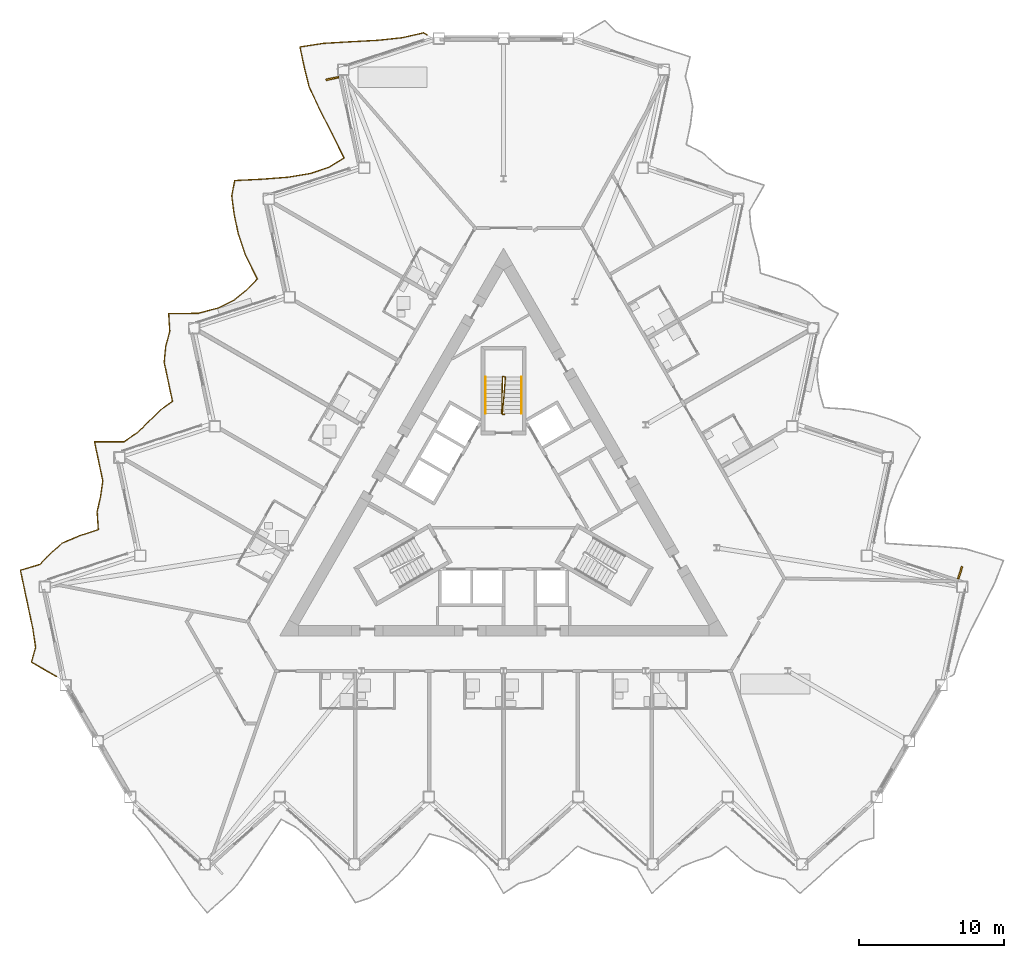
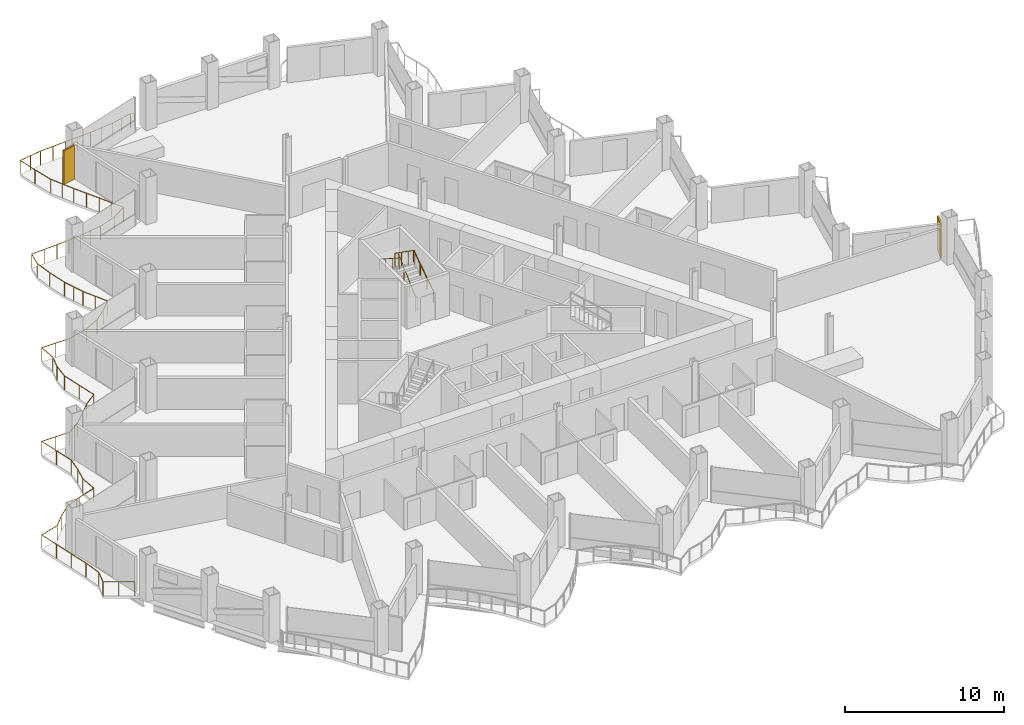
# One storey, part 20 of 23: 4 railings, 2 shading devices.
"""IFC4 building model written with IfcOpenShell, lengths in metres."""

from ifc_helpers import new_model, si_unit, direction, frame, origin, origin_2d, place, context, subcontext, project, spatial, rectangle, circle, extrude, material, layer, layer_set, type_object, element, save


model = new_model("IFC4")

# Units and contexts
model_context = context("Model", 3, precision=1e-05, world=origin(), true_north=direction((0.0, 1.0)))
body_context = subcontext(model_context, "Body", "Model", "MODEL_VIEW")
ifc_project = project(units=[si_unit("LENGTHUNIT", "METRE"), si_unit("AREAUNIT", "SQUARE_METRE"), si_unit("VOLUMEUNIT", "CUBIC_METRE"), si_unit("PLANEANGLEUNIT", "RADIAN"), si_unit("MASSUNIT", "GRAM", prefix="KILO")], contexts=[model_context])

# Site, building, storey
site_placement = place(None, origin())
site = spatial("IfcSite", under=ifc_project, at=site_placement, CompositionType="ELEMENT")
building_placement = place(site_placement, origin())
building = spatial("IfcBuilding", under=site, at=building_placement, Name="Cormorant Prow Tower", CompositionType="ELEMENT")
storey_placement = place(building_placement, frame((0.0, 0.0, 183.60009765625)))
storey = spatial("IfcBuildingStorey", under=building, at=storey_placement, Name="L39", CompositionType="ELEMENT", Elevation=183.60009765625)

# Railings
ifc_material_1 = material(Name="Aluminium 6063-T6", Category="aluminium")
railing_type_1 = type_object("IfcRailingType", Name="Balcony guard 1100", PredefinedType="GUARDRAIL", material=ifc_material_1)
railing_1_placement = place(storey_placement, frame((-5.30078125, 32.661865234375, 0.0)))
element("IfcRailing", 1, at=railing_1_placement, inside=storey, type_object=railing_type_1, Name="Balcony guard WNW", PredefinedType="GUARDRAIL", context=body_context, shape_type="SweptSolid", body=[
    extrude(circle(Radius=0.02392578125, at=origin_2d()), frame((0.0, 0.0, 1.076171875), z_axis=(-0.866065156741, 0.499931139538, 0.0), x_axis=(-0.499931139538, -0.866065156741, 0.0)), (0.0, 0.0, 1.0), 0.27001953125),
    extrude(circle(Radius=0.02392578125, at=origin_2d()), frame((-0.23388671875, 0.135009765625, 1.076171875), z_axis=(-0.974644719634, -0.223758062401, 0.0), x_axis=(0.223758062401, -0.974644719634, 0.0)), (0.0, 0.0, 1.0), 1.505615234375),
    extrude(circle(Radius=0.02392578125, at=origin_2d()), frame((-1.701416015625, -0.201904296875, 1.076171875), z_axis=(-0.994449269321, -0.105217159941, 0.0), x_axis=(0.105217159941, -0.994449269321, 0.0)), (0.0, 0.0, 1.0), 1.74267578125),
    extrude(circle(Radius=0.02392578125, at=origin_2d()), frame((-3.434326171875, -0.38525390625, 1.076171875), z_axis=(-0.99859695624, -0.052953932694, 0.0), x_axis=(0.052953932694, -0.99859695624, 0.0)), (0.0, 0.0, 1.0), 1.881103515625),
    extrude(circle(Radius=0.02392578125, at=origin_2d()), frame((-5.312744140625, -0.48486328125, 1.076171875), z_axis=(-0.998270307196, -0.058791102824, 0.0), x_axis=(0.058791102824, -0.998270307196, 0.0)), (0.0, 0.0, 1.0), 1.864501953125),
    extrude(circle(Radius=0.02392578125, at=origin_2d()), frame((-7.174072265625, -0.594482421875, 1.076171875), z_axis=(-0.98797780266, -0.154595800235, 0.0), x_axis=(0.154595800235, -0.98797780266, 0.0)), (0.0, 0.0, 1.0), 1.6328125),
    extrude(circle(Radius=0.02392578125, at=origin_2d()), frame((-8.787353515625, -0.846923828125, 1.076171875), z_axis=(0.207873566928, -0.97815570344, 0.0), x_axis=(0.97815570344, 0.207873566928, 0.0)), (0.0, 0.0, 1.0), 1.3798828125),
    extrude(circle(Radius=0.02392578125, at=origin_2d()), frame((-8.50048828125, -2.19677734375, 1.076171875), z_axis=(0.23657564466, -0.971613073375, 0.0), x_axis=(0.971613073375, 0.23657564466, 0.0)), (0.0, 0.0, 1.0), 1.41796875),
    extrude(circle(Radius=0.02392578125, at=origin_2d()), frame((-8.1650390625, -3.574462890625, 1.076171875), z_axis=(0.420257343477, -0.907404962106, 0.0), x_axis=(0.907404962106, 0.420257343477, 0.0)), (0.0, 0.0, 1.0), 1.78125),
    extrude(circle(Radius=0.02392578125, at=origin_2d()), frame((-7.41650390625, -5.190673828125, 1.076171875), z_axis=(0.456536814746, -0.889704522177, 0.0), x_axis=(0.889704522177, 0.456536814746, 0.0)), (0.0, 0.0, 1.0), 1.890869140625),
    extrude(circle(Radius=0.02392578125, at=origin_2d()), frame((-6.55322265625, -6.873046875, 1.076171875), z_axis=(0.440945101429, -0.897534075969, 0.0), x_axis=(0.897534075969, 0.440945101429, 0.0)), (0.0, 0.0, 1.0), 1.841552734375),
    extrude(circle(Radius=0.02392578125, at=origin_2d()), frame((-5.7412109375, -8.52587890625, 1.076171875), z_axis=(-0.849445527485, -0.527676317296, 0.0), x_axis=(0.527676317296, -0.849445527485, 0.0)), (0.0, 0.0, 1.0), 1.1630859375),
    extrude(circle(Radius=0.02392578125, at=origin_2d()), frame((-6.729248046875, -9.1396484375, 1.076171875), z_axis=(-0.945060911666, -0.326894284504, 0.0), x_axis=(0.326894284504, -0.945060911666, 0.0)), (0.0, 0.0, 1.0), 1.35693359375),
    extrude(circle(Radius=0.02392578125, at=origin_2d()), frame((-8.01171875, -9.583251953125, 1.076171875), z_axis=(-0.985922013231, -0.16720581278, 0.0), x_axis=(0.16720581278, -0.985922013231, 0.0)), (0.0, 0.0, 1.0), 1.607666015625),
    extrude(circle(Radius=0.02392578125, at=origin_2d()), frame((-9.5966796875, -9.85205078125, 1.076171875), z_axis=(-0.997045774989, -0.076809651581, 0.0), x_axis=(0.076809651581, -0.997045774989, 0.0)), (0.0, 0.0, 1.0), 1.81494140625),
    extrude(circle(Radius=0.02392578125, at=origin_2d()), frame((-11.40625, -9.991455078125, 1.076171875), z_axis=(-0.998824863504, -0.048465369554, 0.0), x_axis=(0.048465369554, -0.998824863504, 0.0)), (0.0, 0.0, 1.0), 1.89404296875),
    extrude(circle(Radius=0.02392578125, at=origin_2d()), frame((-13.298095703125, -10.083251953125, 1.076171875), z_axis=(-0.19234641595, -0.981327089339, 0.0), x_axis=(0.981327089339, -0.19234641595, 0.0)), (0.0, 0.0, 1.0), 1.083984375),
    extrude(circle(Radius=0.02392578125, at=origin_2d()), frame((-13.506591796875, -11.14697265625, 1.076171875), z_axis=(0.12845755255, -0.991715008051, 0.0), x_axis=(0.991715008051, 0.12845755255, 0.0)), (0.0, 0.0, 1.0), 1.29052734375),
    extrude(circle(Radius=0.02392578125, at=origin_2d()), frame((-13.3408203125, -12.4267578125, 1.076171875), z_axis=(0.208078831639, -0.97811205893, 0.0), x_axis=(0.97811205893, 0.208078831639, 0.0)), (0.0, 0.0, 1.0), 1.3798828125),
    extrude(circle(Radius=0.02392578125, at=origin_2d()), frame((-13.0537109375, -13.7763671875, 1.076171875), z_axis=(0.320795668286, -0.947148425121, 0.0), x_axis=(0.947148425121, 0.320795668286, 0.0)), (0.0, 0.0, 1.0), 1.553955078125),
    extrude(circle(Radius=0.02392578125, at=origin_2d()), frame((-12.55517578125, -15.248291015625, 1.076171875), z_axis=(0.44142979612, -0.897295790193, 0.0), x_axis=(0.897295790193, 0.44142979612, 0.0)), (0.0, 0.0, 1.0), 1.84326171875),
    extrude(circle(Radius=0.02392578125, at=origin_2d()), frame((-11.741455078125, -16.90234375, 1.076171875), z_axis=(-0.696524325423, -0.717533179786, 0.0), x_axis=(0.717533179786, -0.696524325423, 0.0)), (0.0, 0.0, 1.0), 1.0576171875),
    extrude(circle(Radius=0.02392578125, at=origin_2d()), frame((-12.47802734375, -17.6611328125, 1.076171875), z_axis=(-0.776576356837, -0.630023144021, 0.0), x_axis=(0.630023144021, -0.776576356837, 0.0)), (0.0, 0.0, 1.0), 1.097900390625),
    extrude(circle(Radius=0.02392578125, at=origin_2d()), frame((-13.33056640625, -18.352783203125, 1.076171875), z_axis=(-0.89486357373, -0.446339763422, 0.0), x_axis=(0.446339763422, -0.89486357373, 0.0)), (0.0, 0.0, 1.0), 1.229736328125),
    extrude(circle(Radius=0.02392578125, at=origin_2d()), frame((-14.430908203125, -18.901611328125, 1.076171875), z_axis=(-0.967091903603, -0.254427298036, 0.0), x_axis=(0.254427298036, -0.967091903603, 0.0)), (0.0, 0.0, 1.0), 1.45654296875),
    extrude(circle(Radius=0.02392578125, at=origin_2d()), frame((-15.839599609375, -19.272216796875, 1.076171875), z_axis=(-0.999986664005, -0.005164475925, 0.0), x_axis=(0.005164475925, -0.999986664005, 0.0)), (0.0, 0.0, 1.0), 2.03271484375),
    extrude(circle(Radius=0.02392578125, at=origin_2d()), frame((-17.872314453125, -19.28271484375, 1.076171875), z_axis=(0.064560408619, -0.997913800706, 0.0), x_axis=(0.997913800706, 0.064560408619, 0.0)), (0.0, 0.0, 1.0), 1.23291015625),
    extrude(circle(Radius=0.02392578125, at=origin_2d()), frame((-17.792724609375, -20.512939453125, 1.076171875), z_axis=(-0.262201785717, -0.965013069117, 0.0), x_axis=(0.965013069117, -0.262201785717, 0.0)), (0.0, 0.0, 1.0), 1.060546875),
    extrude(circle(Radius=0.02392578125, at=origin_2d()), frame((-18.07080078125, -21.536376953125, 1.076171875), z_axis=(-0.097786178381, -0.995207447379, 0.0), x_axis=(0.995207447379, -0.097786178381, 0.0)), (0.0, 0.0, 1.0), 1.1259765625),
    extrude(circle(Radius=0.02392578125, at=origin_2d()), frame((-18.180908203125, -22.656982421875, 1.076171875), z_axis=(0.207909545351, -0.978148056764, 0.0), x_axis=(0.978148056764, 0.207909545351, 0.0)), (0.0, 0.0, 1.0), 1.379638671875),
    extrude(circle(Radius=0.02392578125, at=origin_2d()), frame((-17.89404296875, -24.006591796875, 1.076171875), z_axis=(0.207909545351, -0.978148056764, 0.0), x_axis=(0.978148056764, 0.207909545351, 0.0)), (0.0, 0.0, 1.0), 1.379638671875),
    extrude(circle(Radius=0.02392578125, at=origin_2d()), frame((-17.607177734375, -25.356201171875, 1.076171875), z_axis=(-0.80659197974, -0.591108601036, 0.0), x_axis=(0.591108601036, -0.80659197974, 0.0)), (0.0, 0.0, 1.0), 1.12060546875),
    extrude(circle(Radius=0.02392578125, at=origin_2d()), frame((-18.510986328125, -26.0185546875, 1.076171875), z_axis=(-0.703411981113, -0.710782375152, 0.0), x_axis=(0.710782375152, -0.703411981113, 0.0)), (0.0, 0.0, 1.0), 1.06005859375),
    extrude(circle(Radius=0.02392578125, at=origin_2d()), frame((-19.256591796875, -26.77197265625, 1.076171875), z_axis=(-0.71733824833, -0.696725080274, 0.0), x_axis=(0.696725080274, -0.71733824833, 0.0)), (0.0, 0.0, 1.0), 1.06591796875),
    extrude(circle(Radius=0.02392578125, at=origin_2d()), frame((-20.021240234375, -27.5146484375, 1.076171875), z_axis=(-0.826195568919, -0.563383423521, 0.0), x_axis=(0.563383423521, -0.826195568919, 0.0)), (0.0, 0.0, 1.0), 1.137939453125),
    extrude(circle(Radius=0.02392578125, at=origin_2d()), frame((-20.96142578125, -28.15576171875, 1.076171875), z_axis=(-0.999993542812, -0.003593651927, 0.0), x_axis=(0.003593651927, -0.999993542812, 0.0)), (0.0, 0.0, 1.0), 2.0380859375),
    extrude(circle(Radius=0.02392578125, at=origin_2d()), frame((-22.99951171875, -28.1630859375, 1.076171875), z_axis=(0.207873566928, -0.97815570344, 0.0), x_axis=(0.97815570344, 0.207873566928, 0.0)), (0.0, 0.0, 1.0), 1.3798828125),
    extrude(circle(Radius=0.02392578125, at=origin_2d()), frame((-22.712646484375, -29.512939453125, 1.076171875), z_axis=(0.207909545351, -0.978148056764, 0.0), x_axis=(0.978148056764, 0.207909545351, 0.0)), (0.0, 0.0, 1.0), 1.379638671875),
    extrude(circle(Radius=0.02392578125, at=origin_2d()), frame((-22.42578125, -30.862548828125, 1.076171875), z_axis=(-0.141637897533, -0.989918535023, 0.0), x_axis=(0.989918535023, -0.141637897533, 0.0)), (0.0, 0.0, 1.0), 1.10498046875),
    extrude(circle(Radius=0.02392578125, at=origin_2d()), frame((-22.582275390625, -31.956298828125, 1.076171875), z_axis=(-0.220805245859, -0.975317919143, 0.0), x_axis=(0.975317919143, -0.220805245859, 0.0)), (0.0, 0.0, 1.0), 1.07373046875),
    extrude(circle(Radius=0.02392578125, at=origin_2d()), frame((-22.8193359375, -33.00341796875, 1.076171875), z_axis=(0.068734306145, -0.997635000969, 0.0), x_axis=(0.997635000969, 0.068734306145, 0.0)), (0.0, 0.0, 1.0), 1.236083984375),
    extrude(circle(Radius=0.02392578125, at=origin_2d()), frame((-22.734375, -34.236572265625, 1.076171875), z_axis=(-0.951027567221, -0.309106076267, 0.0), x_axis=(0.309106076267, -0.951027567221, 0.0)), (0.0, 0.0, 1.0), 1.3798828125),
    extrude(circle(Radius=0.02392578125, at=origin_2d()), frame((-24.046630859375, -34.6630859375, 1.076171875), z_axis=(-0.920623197866, -0.390452209048, 0.0), x_axis=(0.390452209048, -0.920623197866, 0.0)), (0.0, 0.0, 1.0), 1.284423828125),
    extrude(circle(Radius=0.02392578125, at=origin_2d()), frame((-25.22900390625, -35.16455078125, 1.076171875), z_axis=(-0.751192006411, -0.660083759461, 0.0), x_axis=(0.660083759461, -0.751192006411, 0.0)), (0.0, 0.0, 1.0), 1.08251953125),
    extrude(circle(Radius=0.02392578125, at=origin_2d()), frame((-26.042236328125, -35.879150390625, 1.076171875), z_axis=(-0.693690548445, -0.720273158599, 0.0), x_axis=(0.720273158599, -0.693690548445, 0.0)), (0.0, 0.0, 1.0), 1.05615234375),
    extrude(circle(Radius=0.02392578125, at=origin_2d()), frame((-26.77490234375, -36.639892578125, 1.076171875), z_axis=(-0.958163778931, -0.286220496722, 0.0), x_axis=(0.286220496722, -0.958163778931, 0.0)), (0.0, 0.0, 1.0), 1.410888671875),
    extrude(circle(Radius=0.02392578125, at=origin_2d()), frame((-28.126708984375, -37.043701171875, 1.076171875), z_axis=(0.207909545351, -0.978148056764, 0.0), x_axis=(0.978148056764, 0.207909545351, 0.0)), (0.0, 0.0, 1.0), 1.379638671875),
    extrude(circle(Radius=0.02392578125, at=origin_2d()), frame((-27.83984375, -38.393310546875, 1.076171875), z_axis=(0.207909545351, -0.978148056764, 0.0), x_axis=(0.978148056764, 0.207909545351, 0.0)), (0.0, 0.0, 1.0), 1.379638671875),
    extrude(circle(Radius=0.02392578125, at=origin_2d()), frame((-27.552978515625, -39.742919921875, 1.076171875), z_axis=(0.207873566928, -0.97815570344, 0.0), x_axis=(0.97815570344, 0.207873566928, 0.0)), (0.0, 0.0, 1.0), 1.3798828125),
    extrude(circle(Radius=0.02392578125, at=origin_2d()), frame((-27.26611328125, -41.0927734375, 1.076171875), z_axis=(0.146278178224, -0.9892434961, 0.0), x_axis=(0.9892434961, 0.146278178224, 0.0)), (0.0, 0.0, 1.0), 1.30859375),
    extrude(circle(Radius=0.02392578125, at=origin_2d()), frame((-27.07470703125, -42.38720703125, 1.076171875), z_axis=(-0.272830477593, -0.962062124032, 0.0), x_axis=(0.962062124032, -0.272830477593, 0.0)), (0.0, 0.0, 1.0), 1.0576171875),
    extrude(circle(Radius=0.02392578125, at=origin_2d()), frame((-27.36328125, -43.40478515625, 1.076171875), z_axis=(0.866042919053, -0.499969661438, 0.0), x_axis=(0.499969661438, 0.866042919053, 0.0)), (0.0, 0.0, 1.0), 1.99462890625),
    extrude(circle(Radius=0.02099609375, at=origin_2d()), origin(), (0.0, 0.0, 1.0), 1.052001953125),
    extrude(circle(Radius=0.02099609375, at=origin_2d()), frame((-0.23388671875, 0.135009765625, 0.0)), (0.0, 0.0, 1.0), 1.052001953125),
    extrude(circle(Radius=0.02099609375, at=origin_2d()), frame((-0.9677734375, -0.033447265625, 0.0)), (0.0, 0.0, 1.0), 1.052001953125),
    extrude(circle(Radius=0.02099609375, at=origin_2d()), frame((-1.701416015625, -0.201904296875, 0.0)), (0.0, 0.0, 1.0), 1.052001953125),
    extrude(circle(Radius=0.02099609375, at=origin_2d()), frame((-2.56787109375, -0.29345703125, 0.0)), (0.0, 0.0, 1.0), 1.052001953125),
    extrude(circle(Radius=0.02099609375, at=origin_2d()), frame((-3.434326171875, -0.38525390625, 0.0)), (0.0, 0.0, 1.0), 1.052001953125),
    extrude(circle(Radius=0.02099609375, at=origin_2d()), frame((-4.37353515625, -0.43505859375, 0.0)), (0.0, 0.0, 1.0), 1.052001953125),
    extrude(circle(Radius=0.02099609375, at=origin_2d()), frame((-5.312744140625, -0.48486328125, 0.0)), (0.0, 0.0, 1.0), 1.052001953125),
    extrude(circle(Radius=0.02099609375, at=origin_2d()), frame((-6.243408203125, -0.53955078125, 0.0)), (0.0, 0.0, 1.0), 1.052001953125),
    extrude(circle(Radius=0.02099609375, at=origin_2d()), frame((-7.174072265625, -0.594482421875, 0.0)), (0.0, 0.0, 1.0), 1.052001953125),
    extrude(circle(Radius=0.02099609375, at=origin_2d()), frame((-7.980712890625, -0.720703125, 0.0)), (0.0, 0.0, 1.0), 1.052001953125),
    extrude(circle(Radius=0.02099609375, at=origin_2d()), frame((-8.787353515625, -0.846923828125, 0.0)), (0.0, 0.0, 1.0), 1.052001953125),
    extrude(circle(Radius=0.02099609375, at=origin_2d()), frame((-8.50048828125, -2.19677734375, 0.0)), (0.0, 0.0, 1.0), 1.052001953125),
    extrude(circle(Radius=0.02099609375, at=origin_2d()), frame((-8.1650390625, -3.574462890625, 0.0)), (0.0, 0.0, 1.0), 1.052001953125),
    extrude(circle(Radius=0.02099609375, at=origin_2d()), frame((-7.790771484375, -4.382568359375, 0.0)), (0.0, 0.0, 1.0), 1.052001953125),
    extrude(circle(Radius=0.02099609375, at=origin_2d()), frame((-7.41650390625, -5.190673828125, 0.0)), (0.0, 0.0, 1.0), 1.052001953125),
    extrude(circle(Radius=0.02099609375, at=origin_2d()), frame((-6.98486328125, -6.03173828125, 0.0)), (0.0, 0.0, 1.0), 1.052001953125),
    extrude(circle(Radius=0.02099609375, at=origin_2d()), frame((-6.55322265625, -6.873046875, 0.0)), (0.0, 0.0, 1.0), 1.052001953125),
    extrude(circle(Radius=0.02099609375, at=origin_2d()), frame((-6.147216796875, -7.699462890625, 0.0)), (0.0, 0.0, 1.0), 1.052001953125),
    extrude(circle(Radius=0.02099609375, at=origin_2d()), frame((-5.7412109375, -8.52587890625, 0.0)), (0.0, 0.0, 1.0), 1.052001953125),
    extrude(circle(Radius=0.02099609375, at=origin_2d()), frame((-6.729248046875, -9.1396484375, 0.0)), (0.0, 0.0, 1.0), 1.052001953125),
    extrude(circle(Radius=0.02099609375, at=origin_2d()), frame((-8.01171875, -9.583251953125, 0.0)), (0.0, 0.0, 1.0), 1.052001953125),
    extrude(circle(Radius=0.02099609375, at=origin_2d()), frame((-8.80419921875, -9.7177734375, 0.0)), (0.0, 0.0, 1.0), 1.052001953125),
    extrude(circle(Radius=0.02099609375, at=origin_2d()), frame((-9.5966796875, -9.85205078125, 0.0)), (0.0, 0.0, 1.0), 1.052001953125),
    extrude(circle(Radius=0.02099609375, at=origin_2d()), frame((-10.50146484375, -9.921875, 0.0)), (0.0, 0.0, 1.0), 1.052001953125),
    extrude(circle(Radius=0.02099609375, at=origin_2d()), frame((-11.40625, -9.991455078125, 0.0)), (0.0, 0.0, 1.0), 1.052001953125),
    extrude(circle(Radius=0.02099609375, at=origin_2d()), frame((-12.35205078125, -10.037353515625, 0.0)), (0.0, 0.0, 1.0), 1.052001953125),
    extrude(circle(Radius=0.02099609375, at=origin_2d()), frame((-13.298095703125, -10.083251953125, 0.0)), (0.0, 0.0, 1.0), 1.052001953125),
    extrude(circle(Radius=0.02099609375, at=origin_2d()), frame((-13.506591796875, -11.14697265625, 0.0)), (0.0, 0.0, 1.0), 1.052001953125),
    extrude(circle(Radius=0.02099609375, at=origin_2d()), frame((-13.3408203125, -12.4267578125, 0.0)), (0.0, 0.0, 1.0), 1.052001953125),
    extrude(circle(Radius=0.02099609375, at=origin_2d()), frame((-13.0537109375, -13.7763671875, 0.0)), (0.0, 0.0, 1.0), 1.052001953125),
    extrude(circle(Radius=0.02099609375, at=origin_2d()), frame((-12.804443359375, -14.51220703125, 0.0)), (0.0, 0.0, 1.0), 1.052001953125),
    extrude(circle(Radius=0.02099609375, at=origin_2d()), frame((-12.55517578125, -15.248291015625, 0.0)), (0.0, 0.0, 1.0), 1.052001953125),
    extrude(circle(Radius=0.02099609375, at=origin_2d()), frame((-12.1484375, -16.0751953125, 0.0)), (0.0, 0.0, 1.0), 1.052001953125),
    extrude(circle(Radius=0.02099609375, at=origin_2d()), frame((-11.741455078125, -16.90234375, 0.0)), (0.0, 0.0, 1.0), 1.052001953125),
    extrude(circle(Radius=0.02099609375, at=origin_2d()), frame((-12.47802734375, -17.6611328125, 0.0)), (0.0, 0.0, 1.0), 1.052001953125),
    extrude(circle(Radius=0.02099609375, at=origin_2d()), frame((-13.33056640625, -18.352783203125, 0.0)), (0.0, 0.0, 1.0), 1.052001953125),
    extrude(circle(Radius=0.02099609375, at=origin_2d()), frame((-14.430908203125, -18.901611328125, 0.0)), (0.0, 0.0, 1.0), 1.052001953125),
    extrude(circle(Radius=0.02099609375, at=origin_2d()), frame((-15.839599609375, -19.272216796875, 0.0)), (0.0, 0.0, 1.0), 1.052001953125),
    extrude(circle(Radius=0.02099609375, at=origin_2d()), frame((-16.85595703125, -19.27734375, 0.0)), (0.0, 0.0, 1.0), 1.052001953125),
    extrude(circle(Radius=0.02099609375, at=origin_2d()), frame((-17.872314453125, -19.28271484375, 0.0)), (0.0, 0.0, 1.0), 1.052001953125),
    extrude(circle(Radius=0.02099609375, at=origin_2d()), frame((-17.792724609375, -20.512939453125, 0.0)), (0.0, 0.0, 1.0), 1.052001953125),
    extrude(circle(Radius=0.02099609375, at=origin_2d()), frame((-18.07080078125, -21.536376953125, 0.0)), (0.0, 0.0, 1.0), 1.052001953125),
    extrude(circle(Radius=0.02099609375, at=origin_2d()), frame((-18.180908203125, -22.656982421875, 0.0)), (0.0, 0.0, 1.0), 1.052001953125),
    extrude(circle(Radius=0.02099609375, at=origin_2d()), frame((-17.89404296875, -24.006591796875, 0.0)), (0.0, 0.0, 1.0), 1.052001953125),
    extrude(circle(Radius=0.02099609375, at=origin_2d()), frame((-17.607177734375, -25.356201171875, 0.0)), (0.0, 0.0, 1.0), 1.052001953125),
    extrude(circle(Radius=0.02099609375, at=origin_2d()), frame((-18.510986328125, -26.0185546875, 0.0)), (0.0, 0.0, 1.0), 1.052001953125),
    extrude(circle(Radius=0.02099609375, at=origin_2d()), frame((-19.256591796875, -26.77197265625, 0.0)), (0.0, 0.0, 1.0), 1.052001953125),
    extrude(circle(Radius=0.02099609375, at=origin_2d()), frame((-20.021240234375, -27.5146484375, 0.0)), (0.0, 0.0, 1.0), 1.052001953125),
    extrude(circle(Radius=0.02099609375, at=origin_2d()), frame((-20.96142578125, -28.15576171875, 0.0)), (0.0, 0.0, 1.0), 1.052001953125),
    extrude(circle(Radius=0.02099609375, at=origin_2d()), frame((-21.98046875, -28.159423828125, 0.0)), (0.0, 0.0, 1.0), 1.052001953125),
    extrude(circle(Radius=0.02099609375, at=origin_2d()), frame((-22.99951171875, -28.1630859375, 0.0)), (0.0, 0.0, 1.0), 1.052001953125),
    extrude(circle(Radius=0.02099609375, at=origin_2d()), frame((-22.712646484375, -29.512939453125, 0.0)), (0.0, 0.0, 1.0), 1.052001953125),
    extrude(circle(Radius=0.02099609375, at=origin_2d()), frame((-22.42578125, -30.862548828125, 0.0)), (0.0, 0.0, 1.0), 1.052001953125),
    extrude(circle(Radius=0.02099609375, at=origin_2d()), frame((-22.582275390625, -31.956298828125, 0.0)), (0.0, 0.0, 1.0), 1.052001953125),
    extrude(circle(Radius=0.02099609375, at=origin_2d()), frame((-22.8193359375, -33.00341796875, 0.0)), (0.0, 0.0, 1.0), 1.052001953125),
    extrude(circle(Radius=0.02099609375, at=origin_2d()), frame((-22.734375, -34.236572265625, 0.0)), (0.0, 0.0, 1.0), 1.052001953125),
    extrude(circle(Radius=0.02099609375, at=origin_2d()), frame((-24.046630859375, -34.6630859375, 0.0)), (0.0, 0.0, 1.0), 1.052001953125),
    extrude(circle(Radius=0.02099609375, at=origin_2d()), frame((-25.22900390625, -35.16455078125, 0.0)), (0.0, 0.0, 1.0), 1.052001953125),
    extrude(circle(Radius=0.02099609375, at=origin_2d()), frame((-26.042236328125, -35.879150390625, 0.0)), (0.0, 0.0, 1.0), 1.052001953125),
    extrude(circle(Radius=0.02099609375, at=origin_2d()), frame((-26.77490234375, -36.639892578125, 0.0)), (0.0, 0.0, 1.0), 1.052001953125),
    extrude(circle(Radius=0.02099609375, at=origin_2d()), frame((-28.126708984375, -37.043701171875, 0.0)), (0.0, 0.0, 1.0), 1.052001953125),
    extrude(circle(Radius=0.02099609375, at=origin_2d()), frame((-27.83984375, -38.393310546875, 0.0)), (0.0, 0.0, 1.0), 1.052001953125),
    extrude(circle(Radius=0.02099609375, at=origin_2d()), frame((-27.552978515625, -39.742919921875, 0.0)), (0.0, 0.0, 1.0), 1.052001953125),
    extrude(circle(Radius=0.02099609375, at=origin_2d()), frame((-27.26611328125, -41.0927734375, 0.0)), (0.0, 0.0, 1.0), 1.052001953125),
    extrude(circle(Radius=0.02099609375, at=origin_2d()), frame((-27.07470703125, -42.38720703125, 0.0)), (0.0, 0.0, 1.0), 1.052001953125),
    extrude(circle(Radius=0.02099609375, at=origin_2d()), frame((-27.36328125, -43.40478515625, 0.0)), (0.0, 0.0, 1.0), 1.052001953125),
    extrude(circle(Radius=0.02099609375, at=origin_2d()), frame((-26.49951171875, -43.9033203125, 0.0)), (0.0, 0.0, 1.0), 1.052001953125),
    extrude(circle(Radius=0.02099609375, at=origin_2d()), frame((-25.6357421875, -44.402099609375, 0.0)), (0.0, 0.0, 1.0), 1.052001953125),
])
ifc_material_2 = material(Name="Stainless steel", Category="steel")
railing_type_2 = type_object("IfcRailingType", Name="Stair guard 1100", PredefinedType="GUARDRAIL", material=ifc_material_2)
railing_2_placement = place(storey_placement, frame((0.074951171875, 6.40576171875, 0.0)))
element("IfcRailing", 2, at=railing_2_placement, inside=storey, type_object=railing_type_2, Name="L39 ST3 stair guard 1", PredefinedType="GUARDRAIL", context=body_context, shape_type="SweptSolid", body=[
    extrude(circle(Radius=0.02392578125, at=origin_2d()), frame((0.0, 0.0, 1.076171875), z_axis=(-1.0, 0.0, 0.0), x_axis=(0.0, -1.0, 0.0)), (0.0, 0.0, 1.0), 0.14990234375),
    extrude(circle(Radius=0.02392578125, at=origin_2d()), frame((-0.14990234375, 0.0, 1.076171875), z_axis=(0.063598367685, 0.817460337751, 0.572462962848), x_axis=(-0.996987254287, 0.077565551559, 0.0)), (0.0, 0.0, 1.0), 3.14404296875),
    extrude(circle(Radius=0.02392578125, at=origin_2d()), frame((0.050048828125, 2.570068359375, 2.8759765625), z_axis=(-0.970072785993, 0.242814311512, 0.0), x_axis=(-0.242814311512, -0.970072785993, 0.0)), (0.0, 0.0, 1.0), 0.2060546875),
    extrude(circle(Radius=0.02392578125, at=origin_2d()), frame((-0.14990234375, 2.6201171875, 2.8759765625), z_axis=(-0.01594855688, -0.818977845239, 0.573603462805), x_axis=(0.999810440751, -0.019470042781, 0.0)), (0.0, 0.0, 1.0), 3.13818359375),
    extrude(circle(Radius=0.02099609375, at=origin_2d()), origin(), (0.0, 0.0, 1.0), 1.052001953125),
    extrude(circle(Radius=0.02099609375, at=origin_2d()), frame((-0.14990234375, 0.0, 0.0)), (0.0, 0.0, 1.0), 1.052001953125),
    extrude(circle(Radius=0.02099609375, at=origin_2d()), frame((-0.083251953125, 0.856689453125, 0.599853515625)), (0.0, 0.0, 1.0), 1.052001953125),
    extrude(circle(Radius=0.02099609375, at=origin_2d()), frame((-0.0166015625, 1.71337890625, 1.199951171875)), (0.0, 0.0, 1.0), 1.052001953125),
    extrude(circle(Radius=0.02099609375, at=origin_2d()), frame((0.050048828125, 2.570068359375, 1.7998046875)), (0.0, 0.0, 1.0), 1.052001953125),
    extrude(circle(Radius=0.02099609375, at=origin_2d()), frame((-0.14990234375, 2.6201171875, 1.7998046875)), (0.0, 0.0, 1.0), 1.052001953125),
    extrude(circle(Radius=0.02099609375, at=origin_2d()), frame((-0.16650390625, 1.763427734375, 2.39990234375)), (0.0, 0.0, 1.0), 1.052001953125),
    extrude(circle(Radius=0.02099609375, at=origin_2d()), frame((-0.183349609375, 0.90673828125, 2.999755859375)), (0.0, 0.0, 1.0), 1.052001953125),
    extrude(circle(Radius=0.02099609375, at=origin_2d()), frame((-0.199951171875, 0.050048828125, 3.599853515625)), (0.0, 0.0, 1.0), 1.052001953125),
])
ifc_material_3 = material(Name="Stainless steel", Category="steel")
railing_type_3 = type_object("IfcRailingType", Name="Stair handrail 900", PredefinedType="HANDRAIL", material=ifc_material_3)
railing_3_placement = place(storey_placement, frame((1.243896484375, 6.455810546875, 0.179931640625)))
element("IfcRailing", 3, at=railing_3_placement, inside=storey, type_object=railing_type_3, Name="L39 ST3 stair handrail 1", PredefinedType="HANDRAIL", context=body_context, shape_type="SweptSolid", body=[
    extrude(circle(Radius=0.02392578125, at=origin_2d()), frame((0.0, 0.0, 0.8759765625), z_axis=(0.0, 0.841199657755, 0.540724639528), x_axis=(-1.0, 0.0, 0.0)), (0.0, 0.0, 1.0), 2.995849609375),
    extrude(circle(Radius=0.02099609375, at=origin_2d()), origin(), (0.0, 0.0, 1.0), 0.851806640625),
    extrude(circle(Radius=0.02099609375, at=origin_2d()), frame((0.0, 0.840087890625, 0.5400390625)), (0.0, 0.0, 1.0), 0.851806640625),
    extrude(circle(Radius=0.02099609375, at=origin_2d()), frame((0.0, 1.679931640625, 1.079833984375)), (0.0, 0.0, 1.0), 0.851806640625),
    extrude(circle(Radius=0.02099609375, at=origin_2d()), frame((0.0, 2.52001953125, 1.619873046875)), (0.0, 0.0, 1.0), 0.851806640625),
])
railing_4_placement = place(storey_placement, frame((-1.243896484375, 8.975830078125, 1.97998046875)))
element("IfcRailing", 4, at=railing_4_placement, inside=storey, type_object=railing_type_3, Name="L39 ST3 stair handrail 2", PredefinedType="HANDRAIL", context=body_context, shape_type="SweptSolid", body=[
    extrude(circle(Radius=0.02392578125, at=origin_2d()), frame((0.0, 0.0, 0.8759765625), z_axis=(0.0, -0.841199657755, 0.540724639528), x_axis=(1.0, 0.0, 0.0)), (0.0, 0.0, 1.0), 2.995849609375),
    extrude(circle(Radius=0.02099609375, at=origin_2d()), origin(), (0.0, 0.0, 1.0), 0.851806640625),
    extrude(circle(Radius=0.02099609375, at=origin_2d()), frame((0.0, -0.840087890625, 0.5400390625)), (0.0, 0.0, 1.0), 0.851806640625),
    extrude(circle(Radius=0.02099609375, at=origin_2d()), frame((0.0, -1.679931640625, 1.079833984375)), (0.0, 0.0, 1.0), 0.851806640625),
    extrude(circle(Radius=0.02099609375, at=origin_2d()), frame((0.0, -2.52001953125, 1.619873046875)), (0.0, 0.0, 1.0), 0.851806640625),
])

# Shading devices
ifc_material_4 = material(Name="Terracotta", Category="masonry")
ifc_layer = layer(ifc_material_4, 0.1201171875)
ifc_layer_set = layer_set([ifc_layer], Name="Terracotta")
shading_device_type = type_object("IfcShadingDeviceType", Name="Terracotta baguette fin 120x900x2600", PredefinedType="USERDEFINED", material=ifc_layer_set)
for number, where, z_axis, x_axis, name in (
    (5, (31.58349609375, -4.559814453125, -0.000244140625), (0.0, 0.0, 1.0), (-0.951056527314, 0.309016960463, 0.0), "Baguette fin ENE01"),
    (6, (-11.843017578125, 29.632080078125, -0.000244140625), (0.0, 0.0, 1.0), (0.207911594993, -0.978147621102, 0.0), "Baguette fin WNW01"),
):
    element("IfcShadingDevice", number, at=place(storey_placement, frame(where, z_axis=z_axis, x_axis=x_axis)), inside=storey, type_object=shading_device_type, Name=name, ObjectType="BAGUETTE", PredefinedType="USERDEFINED", context=body_context, shape_type="SweptSolid", body=[
        extrude(rectangle(XDim=0.1201171875, YDim=0.89990234375, at=origin_2d()), origin(), (0.0, 0.0, 1.0), 2.60009765625),
    ])

save(model, "model.ifc")
